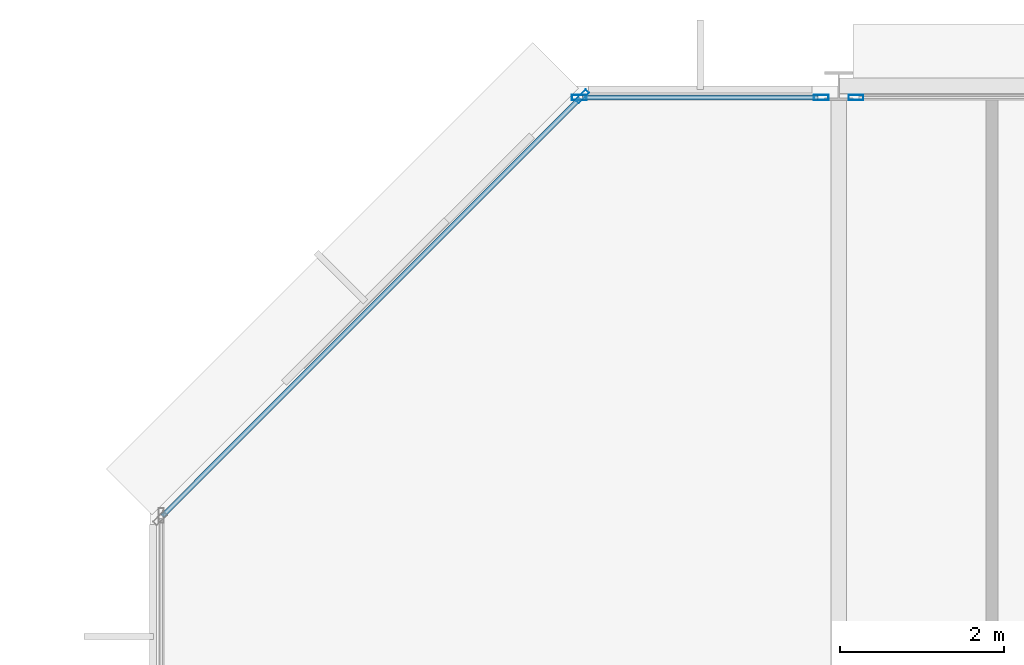
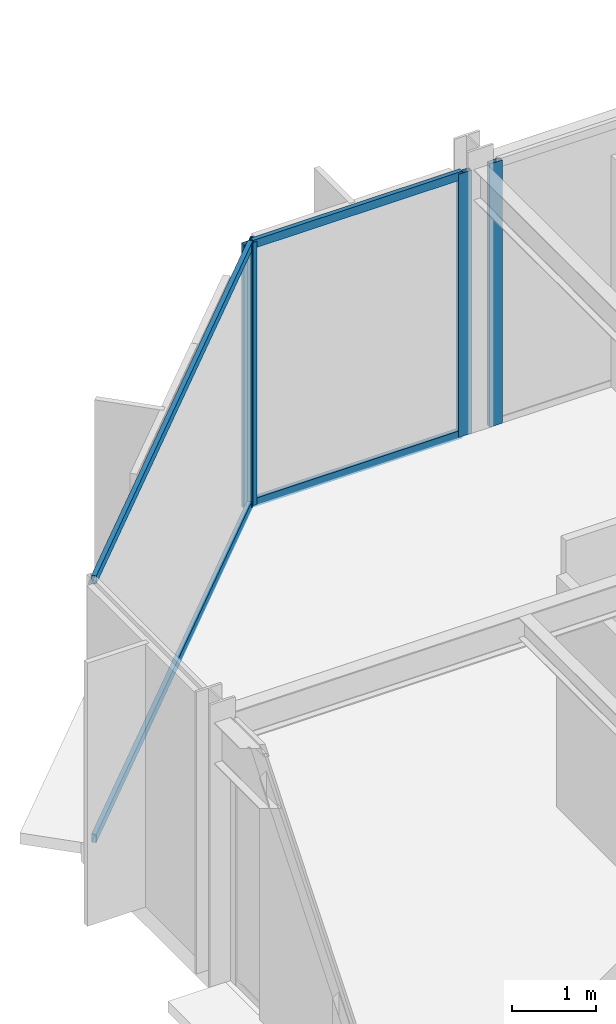
# One storey, part 20 of 30: 8 members, 3 elements without a shape of their own.
"""IFC4 building model written with IfcOpenShell, lengths in metres."""

from ifc_helpers import new_model, si_unit, direction, frame, origin, origin_2d, place, context, subcontext, project, spatial, hollow_rectangle, extrude, material, layer, layer_set, material_profile, profile_set, type_object, element, aggregate, save


model = new_model("IFC4")

# Units and contexts
model_context = context("Model", 3, precision=1e-05, world=origin(), true_north=direction((0.0, 1.0)))
body_context = subcontext(model_context, "Body", "Model", "MODEL_VIEW")
ifc_project = project(units=[si_unit("LENGTHUNIT", "METRE"), si_unit("AREAUNIT", "SQUARE_METRE"), si_unit("VOLUMEUNIT", "CUBIC_METRE"), si_unit("PLANEANGLEUNIT", "RADIAN"), si_unit("MASSUNIT", "GRAM", prefix="KILO")], contexts=[model_context])

# Site, building, storey
site_placement = place(None, origin())
site = spatial("IfcSite", under=ifc_project, at=site_placement, CompositionType="ELEMENT")
building_placement = place(site_placement, origin())
building = spatial("IfcBuilding", under=site, at=building_placement, Name="Nerrivon Quay Data Exchange", CompositionType="ELEMENT")
storey_placement = place(building_placement, frame((0.0, 0.0, 171.39990234375)))
storey = spatial("IfcBuildingStorey", under=building, at=storey_placement, Name="L40", CompositionType="ELEMENT", Elevation=171.39990234375)

# Curtain wall, member
ifc_material = material(Name="Anodised aluminium 6063-T6", Category="aluminium")
ifc_layer = layer(ifc_material, 0.195068359375)
ifc_layer_set = layer_set([ifc_layer], Name="Anodised aluminium 6063-T6")
curtain_wall_type = type_object("IfcCurtainWallType", Name="CW-SYS-06", PredefinedType="NOTDEFINED", material=ifc_layer_set)
curtain_wall_1_placement = place(storey_placement, origin())
curtain_wall_1 = element("IfcCurtainWall", 1, at=curtain_wall_1_placement, inside=storey, type_object=curtain_wall_type, Name="L40 Unitised Curtain Wall 7", PredefinedType="NOTDEFINED")
ifc_material_profile_1 = material_profile(ifc_material, hollow_rectangle(XDim=0.06494140625, YDim=0.179931640625, WallThickness=0.00341796875, at=origin_2d()), Name="ALU-MULL-180x65")
ifc_profile_set_1 = profile_set([ifc_material_profile_1], Name="Anodised aluminium 6063-T6")
member_type_1 = type_object("IfcMemberType", Name="CWM-180x65", PredefinedType="MULLION", material=ifc_profile_set_1)
member_1_placement = place(storey_placement, frame((5.2724609375, 50.2744140625, 0.0), z_axis=(0.0, 0.0, 1.0), x_axis=(-0.707106781187, 0.707106781187, 0.0)))
member_1 = element("IfcMember", 2, at=member_1_placement, type_object=member_type_1, Name="CW06 mullion 2", PredefinedType="MULLION", context=body_context, shape_type="SweptSolid", body=[
    extrude(hollow_rectangle(XDim=0.06494140625, YDim=0.179931640625, WallThickness=0.00341796875, at=origin_2d()), origin(), (0.0, 0.0, 1.0), 3.8251953125),
])

# Curtain wall, members
curtain_wall_2_placement = place(storey_placement, origin())
curtain_wall_2 = element("IfcCurtainWall", 3, at=curtain_wall_2_placement, inside=storey, type_object=curtain_wall_type, Name="L40 Unitised Curtain Wall 8", PredefinedType="NOTDEFINED")
member_2_placement = place(storey_placement, frame((5.237548828125, 50.260009765625, 0.0), z_axis=(0.0, 0.0, 1.0), x_axis=(0.0, 1.0, 0.0)))
member_2 = element("IfcMember", 4, at=member_2_placement, type_object=member_type_1, Name="CW06 mullion 1", PredefinedType="MULLION", context=body_context, shape_type="SweptSolid", body=[
    extrude(hollow_rectangle(XDim=0.06494140625, YDim=0.179931640625, WallThickness=0.00341796875, at=origin_2d()), origin(), (0.0, 0.0, 1.0), 3.8251953125),
])
member_3_placement = place(storey_placement, frame((8.1875, 50.260009765625, 0.0), z_axis=(0.0, 0.0, 1.0), x_axis=(0.0, 1.0, 0.0)))
member_3 = element("IfcMember", 5, at=member_3_placement, type_object=member_type_1, Name="CW06 mullion 2", PredefinedType="MULLION", context=body_context, shape_type="SweptSolid", body=[
    extrude(hollow_rectangle(XDim=0.06494140625, YDim=0.179931640625, WallThickness=0.00341796875, at=origin_2d()), origin(), (0.0, 0.0, 1.0), 3.8251953125),
])

# Curtain wall, member
curtain_wall_3_placement = place(storey_placement, origin())
curtain_wall_3 = element("IfcCurtainWall", 6, at=curtain_wall_3_placement, inside=storey, type_object=curtain_wall_type, Name="L40 Unitised Curtain Wall 9", PredefinedType="NOTDEFINED")
member_4_placement = place(storey_placement, frame((8.612548828125, 50.260009765625, 0.0), z_axis=(0.0, 0.0, 1.0), x_axis=(0.0, 1.0, 0.0)))
member_4 = element("IfcMember", 7, at=member_4_placement, type_object=member_type_1, Name="CW06 mullion 1", PredefinedType="MULLION", context=body_context, shape_type="SweptSolid", body=[
    extrude(hollow_rectangle(XDim=0.06494140625, YDim=0.179931640625, WallThickness=0.00341796875, at=origin_2d()), origin(), (0.0, 0.0, 1.0), 3.8251953125),
])
aggregate(curtain_wall_3, [member_4])

# Member
ifc_material_profile_2 = material_profile(ifc_material, hollow_rectangle(XDim=0.06005859375, YDim=0.1201171875, WallThickness=0.003173828125, at=origin_2d()), Name="ALU-TRAN-120x60")
ifc_profile_set_2 = profile_set([ifc_material_profile_2], Name="Anodised aluminium 6063-T6")
member_type_2 = type_object("IfcMemberType", Name="CWT-120x60", PredefinedType="USERDEFINED", material=ifc_profile_set_2)
member_5_placement = place(storey_placement, frame((0.152099609375, 45.154052734375, 0.03271484375), z_axis=(0.707089835771, 0.707123726196, 0.0), x_axis=(-0.707123726196, 0.707089835771, 0.0)))
member_5 = element("IfcMember", 8, at=member_5_placement, type_object=member_type_2, Name="CW06 transom 1.1", ObjectType="TRANSOM", PredefinedType="USERDEFINED", context=body_context, shape_type="SweptSolid", body=[
    extrude(hollow_rectangle(XDim=0.06005859375, YDim=0.1201171875, WallThickness=0.003173828125, at=origin_2d()), origin(), (0.0, 0.0, 1.0), 7.203857421875),
])

member_6_placement = place(storey_placement, frame((0.152099609375, 45.154052734375, 3.79248046875), z_axis=(0.707089835771, 0.707123726196, 0.0), x_axis=(-0.707123726196, 0.707089835771, 0.0)))
member_6 = element("IfcMember", 9, at=member_6_placement, type_object=member_type_2, Name="CW06 transom 1.2", ObjectType="TRANSOM", PredefinedType="USERDEFINED", context=body_context, shape_type="SweptSolid", body=[
    extrude(hollow_rectangle(XDim=0.06005859375, YDim=0.1201171875, WallThickness=0.003173828125, at=origin_2d()), origin(), (0.0, 0.0, 1.0), 7.203857421875),
])

aggregate(curtain_wall_1, [member_1, member_5, member_6])

member_7_placement = place(storey_placement, frame((5.27490234375, 50.260009765625, 0.03271484375), z_axis=(1.0, 0.0, 0.0), x_axis=(0.0, 1.0, 0.0)))
member_7 = element("IfcMember", 10, at=member_7_placement, type_object=member_type_2, Name="CW06 transom 1.1", ObjectType="TRANSOM", PredefinedType="USERDEFINED", context=body_context, shape_type="SweptSolid", body=[
    extrude(hollow_rectangle(XDim=0.06005859375, YDim=0.1201171875, WallThickness=0.003173828125, at=origin_2d()), origin(), (0.0, 0.0, 1.0), 2.875),
])

member_8_placement = place(storey_placement, frame((5.27490234375, 50.260009765625, 3.79248046875), z_axis=(1.0, 0.0, 0.0), x_axis=(0.0, 1.0, 0.0)))
member_8 = element("IfcMember", 11, at=member_8_placement, type_object=member_type_2, Name="CW06 transom 1.2", ObjectType="TRANSOM", PredefinedType="USERDEFINED", context=body_context, shape_type="SweptSolid", body=[
    extrude(hollow_rectangle(XDim=0.06005859375, YDim=0.1201171875, WallThickness=0.003173828125, at=origin_2d()), origin(), (0.0, 0.0, 1.0), 2.875),
])

aggregate(curtain_wall_2, [member_2, member_3, member_7, member_8])

save(model, "model.ifc")
